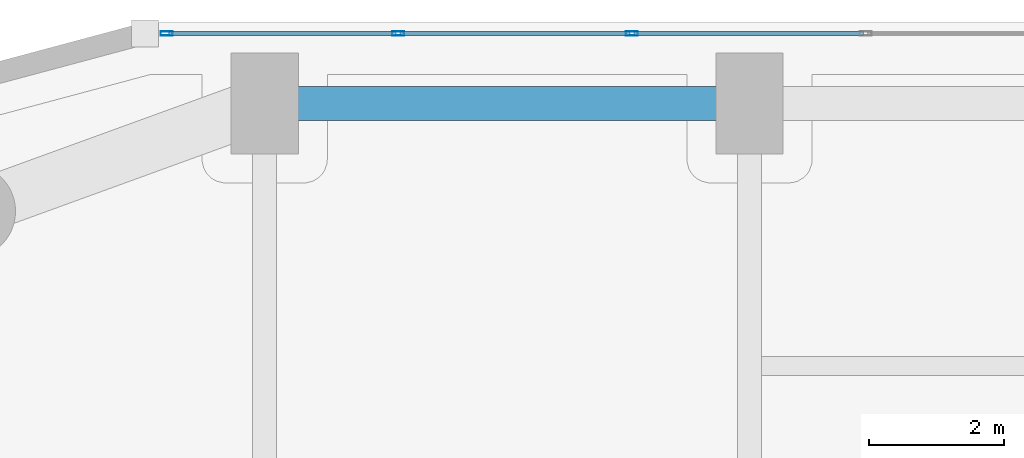
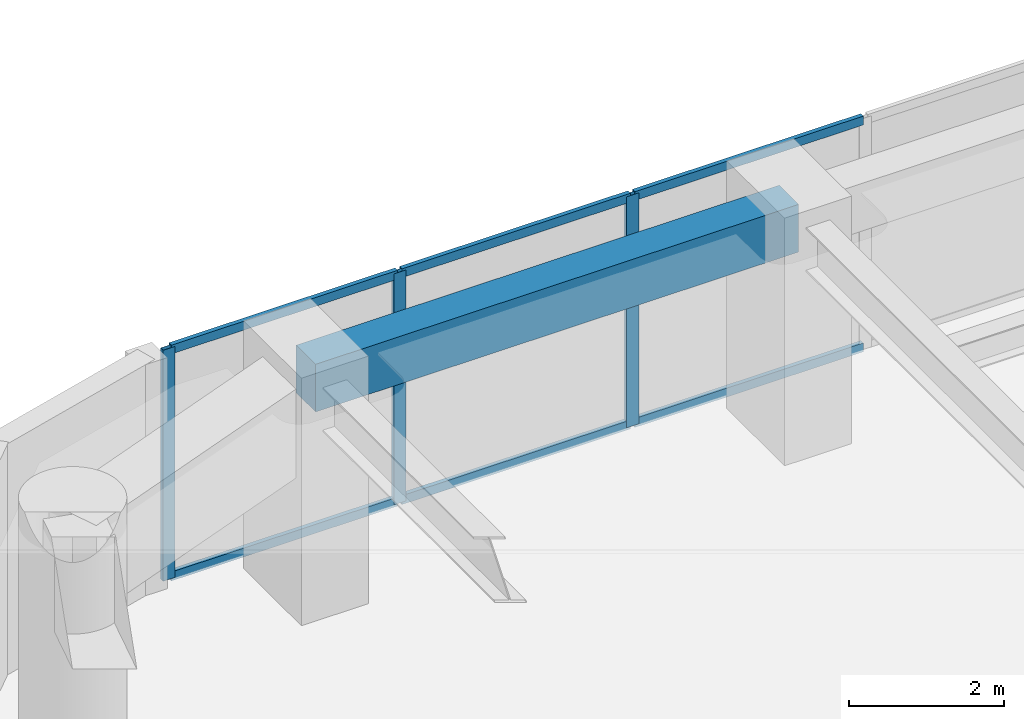
# One storey, part 16 of 29: 9 members, 1 beam, 1 element without a shape of its own.
"""IFC4 building model written with IfcOpenShell, lengths in metres."""

from ifc_helpers import new_model, si_unit, direction, frame, origin, origin_2d, place, context, subcontext, project, spatial, rectangle, hollow_rectangle, extrude, material, layer, layer_set, material_profile, profile_set, type_object, element, aggregate, save


model = new_model("IFC4")

# Units and contexts
model_context = context("Model", 3, precision=1e-05, world=origin(), true_north=direction((0.0, 1.0)))
body_context = subcontext(model_context, "Body", "Model", "MODEL_VIEW")
ifc_project = project(units=[si_unit("LENGTHUNIT", "METRE"), si_unit("AREAUNIT", "SQUARE_METRE"), si_unit("VOLUMEUNIT", "CUBIC_METRE"), si_unit("PLANEANGLEUNIT", "RADIAN"), si_unit("MASSUNIT", "GRAM", prefix="KILO")], contexts=[model_context])

# Site, building, storey
site_placement = place(None, origin())
site = spatial("IfcSite", under=ifc_project, at=site_placement, CompositionType="ELEMENT")
building_placement = place(site_placement, origin())
building = spatial("IfcBuilding", under=site, at=building_placement, Name="Kiyonajd Concourse Tower", CompositionType="ELEMENT")
storey_placement = place(building_placement, frame((0.0, 0.0, 48.89990234375)))
storey = spatial("IfcBuildingStorey", under=building, at=storey_placement, Name="L13", CompositionType="ELEMENT", Elevation=48.89990234375)

# Beam
ifc_material_1 = material(Name="Precast concrete C50/60", Category="concrete")
ifc_material_profile_1 = material_profile(ifc_material_1, rectangle(XDim=0.5, YDim=0.75, at=origin_2d()), Name="RCBM-500x750")
ifc_profile_set_1 = profile_set([ifc_material_profile_1], Name="Precast concrete C50/60")
beam_type = type_object("IfcBeamType", Name="BM-SPAN-RC", PredefinedType="SPANDREL", material=ifc_profile_set_1)
beam_placement = place(storey_placement, frame((32.39990234375, 61.199951171875, 3.26513671875), z_axis=(-1.0, 0.0, 0.0), x_axis=(0.0, -1.0, 0.0)))
element("IfcBeam", 1, at=beam_placement, inside=storey, type_object=beam_type, Name="L13 Perimeter Bundled Tube Spandrel", PredefinedType="SPANDREL", context=body_context, shape_type="SweptSolid", body=[
    extrude(rectangle(XDim=0.5, YDim=0.75, at=origin_2d()), origin(), (0.0, 0.0, 1.0), 7.199951171875),
])

# Curtain wall, members
ifc_material_2 = material(Name="Thermally Broken Anodised Aluminium", Category="aluminium")
ifc_layer = layer(ifc_material_2, 0.179931640625)
ifc_layer_set = layer_set([ifc_layer], Name="Thermally Broken Anodised Aluminium")
curtain_wall_type = type_object("IfcCurtainWallType", Name="CW-SYS-02", PredefinedType="NOTDEFINED", material=ifc_layer_set)
curtain_wall_placement = place(storey_placement, origin())
curtain_wall = element("IfcCurtainWall", 2, at=curtain_wall_placement, inside=storey, type_object=curtain_wall_type, Name="L13 Unitised Curtain Wall CW2", PredefinedType="NOTDEFINED")
ifc_material_profile_2 = material_profile(ifc_material_2, hollow_rectangle(XDim=0.06494140625, YDim=0.179931640625, WallThickness=0.00390625, at=origin_2d()), Name="MULL-65x180")
ifc_profile_set_2 = profile_set([ifc_material_profile_2], Name="Thermally Broken Anodised Aluminium")
member_type_1 = type_object("IfcMemberType", Name="MB-CW-MULL1", PredefinedType="MULLION", material=ifc_profile_set_2)
member_1_placement = place(storey_placement, frame((23.74365234375, 62.239990234375, 0.0), z_axis=(0.0, 0.0, 1.0), x_axis=(0.0, 1.0, 0.0)))
member_1 = element("IfcMember", 3, at=member_1_placement, type_object=member_type_1, Name="CW2 mullion 1", PredefinedType="MULLION", context=body_context, shape_type="SweptSolid", body=[
    extrude(hollow_rectangle(XDim=0.06494140625, YDim=0.179931640625, WallThickness=0.00390625, at=origin_2d()), origin(), (0.0, 0.0, 1.0), 3.64013671875),
])
member_2_placement = place(storey_placement, frame((27.181884765625, 62.239990234375, 0.0), z_axis=(0.0, 0.0, 1.0), x_axis=(0.0, 1.0, 0.0)))
member_2 = element("IfcMember", 4, at=member_2_placement, type_object=member_type_1, Name="CW2 mullion 2", PredefinedType="MULLION", context=body_context, shape_type="SweptSolid", body=[
    extrude(hollow_rectangle(XDim=0.06494140625, YDim=0.179931640625, WallThickness=0.00390625, at=origin_2d()), origin(), (0.0, 0.0, 1.0), 3.64013671875),
])
member_3_placement = place(storey_placement, frame((30.652587890625, 62.239990234375, 0.0), z_axis=(0.0, 0.0, 1.0), x_axis=(0.0, 1.0, 0.0)))
member_3 = element("IfcMember", 5, at=member_3_placement, type_object=member_type_1, Name="CW2 mullion 3", PredefinedType="MULLION", context=body_context, shape_type="SweptSolid", body=[
    extrude(hollow_rectangle(XDim=0.06494140625, YDim=0.179931640625, WallThickness=0.00390625, at=origin_2d()), origin(), (0.0, 0.0, 1.0), 3.64013671875),
])
ifc_material_profile_3 = material_profile(ifc_material_2, hollow_rectangle(XDim=0.06494140625, YDim=0.139892578125, WallThickness=0.00390625, at=origin_2d()), Name="TRAN-65x140")
ifc_profile_set_3 = profile_set([ifc_material_profile_3], Name="Thermally Broken Anodised Aluminium")
member_type_2 = type_object("IfcMemberType", Name="MB-CW-TRAN1", PredefinedType="USERDEFINED", material=ifc_profile_set_3)
member_4_placement = place(storey_placement, frame((23.776123046875, 62.239990234375, 0.03271484375), z_axis=(1.0, 0.0, 0.0), x_axis=(0.0, 1.0, 0.0)))
member_4 = element("IfcMember", 6, at=member_4_placement, type_object=member_type_2, Name="CW2 transom 1.1", ObjectType="TRANSOM", PredefinedType="USERDEFINED", context=body_context, shape_type="SweptSolid", body=[
    extrude(hollow_rectangle(XDim=0.06494140625, YDim=0.139892578125, WallThickness=0.00390625, at=origin_2d()), origin(), (0.0, 0.0, 1.0), 3.373291015625),
])
member_5_placement = place(storey_placement, frame((23.776123046875, 62.239990234375, 3.607666015625), z_axis=(1.0, 0.0, 0.0), x_axis=(0.0, 1.0, 0.0)))
member_5 = element("IfcMember", 7, at=member_5_placement, type_object=member_type_2, Name="CW2 transom 1.2", ObjectType="TRANSOM", PredefinedType="USERDEFINED", context=body_context, shape_type="SweptSolid", body=[
    extrude(hollow_rectangle(XDim=0.06494140625, YDim=0.139892578125, WallThickness=0.00390625, at=origin_2d()), origin(), (0.0, 0.0, 1.0), 3.373291015625),
])
member_6_placement = place(storey_placement, frame((27.21435546875, 62.239990234375, 0.03271484375), z_axis=(1.0, 0.0, 0.0), x_axis=(0.0, 1.0, 0.0)))
member_6 = element("IfcMember", 8, at=member_6_placement, type_object=member_type_2, Name="CW2 transom 2.1", ObjectType="TRANSOM", PredefinedType="USERDEFINED", context=body_context, shape_type="SweptSolid", body=[
    extrude(hollow_rectangle(XDim=0.06494140625, YDim=0.139892578125, WallThickness=0.00390625, at=origin_2d()), origin(), (0.0, 0.0, 1.0), 3.40576171875),
])
member_7_placement = place(storey_placement, frame((27.21435546875, 62.239990234375, 3.607666015625), z_axis=(1.0, 0.0, 0.0), x_axis=(0.0, 1.0, 0.0)))
member_7 = element("IfcMember", 9, at=member_7_placement, type_object=member_type_2, Name="CW2 transom 2.2", ObjectType="TRANSOM", PredefinedType="USERDEFINED", context=body_context, shape_type="SweptSolid", body=[
    extrude(hollow_rectangle(XDim=0.06494140625, YDim=0.139892578125, WallThickness=0.00390625, at=origin_2d()), origin(), (0.0, 0.0, 1.0), 3.40576171875),
])
member_8_placement = place(storey_placement, frame((30.68505859375, 62.239990234375, 0.03271484375), z_axis=(1.0, 0.0, 0.0), x_axis=(0.0, 1.0, 0.0)))
member_8 = element("IfcMember", 10, at=member_8_placement, type_object=member_type_2, Name="CW2 transom 3.1", ObjectType="TRANSOM", PredefinedType="USERDEFINED", context=body_context, shape_type="SweptSolid", body=[
    extrude(hollow_rectangle(XDim=0.06494140625, YDim=0.139892578125, WallThickness=0.00390625, at=origin_2d()), origin(), (0.0, 0.0, 1.0), 3.40576171875),
])
member_9_placement = place(storey_placement, frame((30.68505859375, 62.239990234375, 3.607666015625), z_axis=(1.0, 0.0, 0.0), x_axis=(0.0, 1.0, 0.0)))
member_9 = element("IfcMember", 11, at=member_9_placement, type_object=member_type_2, Name="CW2 transom 3.2", ObjectType="TRANSOM", PredefinedType="USERDEFINED", context=body_context, shape_type="SweptSolid", body=[
    extrude(hollow_rectangle(XDim=0.06494140625, YDim=0.139892578125, WallThickness=0.00390625, at=origin_2d()), origin(), (0.0, 0.0, 1.0), 3.40576171875),
])
aggregate(curtain_wall, [member_1, member_2, member_3, member_4, member_5, member_6, member_7, member_8, member_9])

save(model, "model.ifc")
